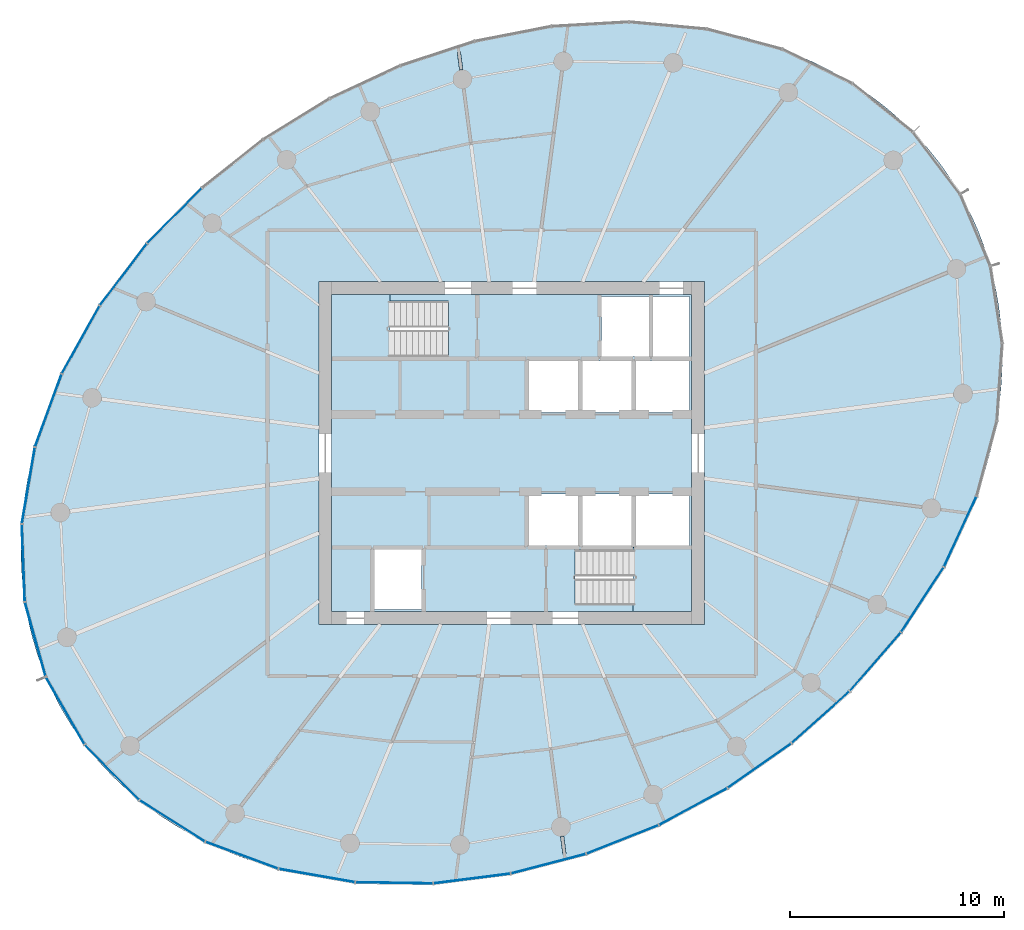
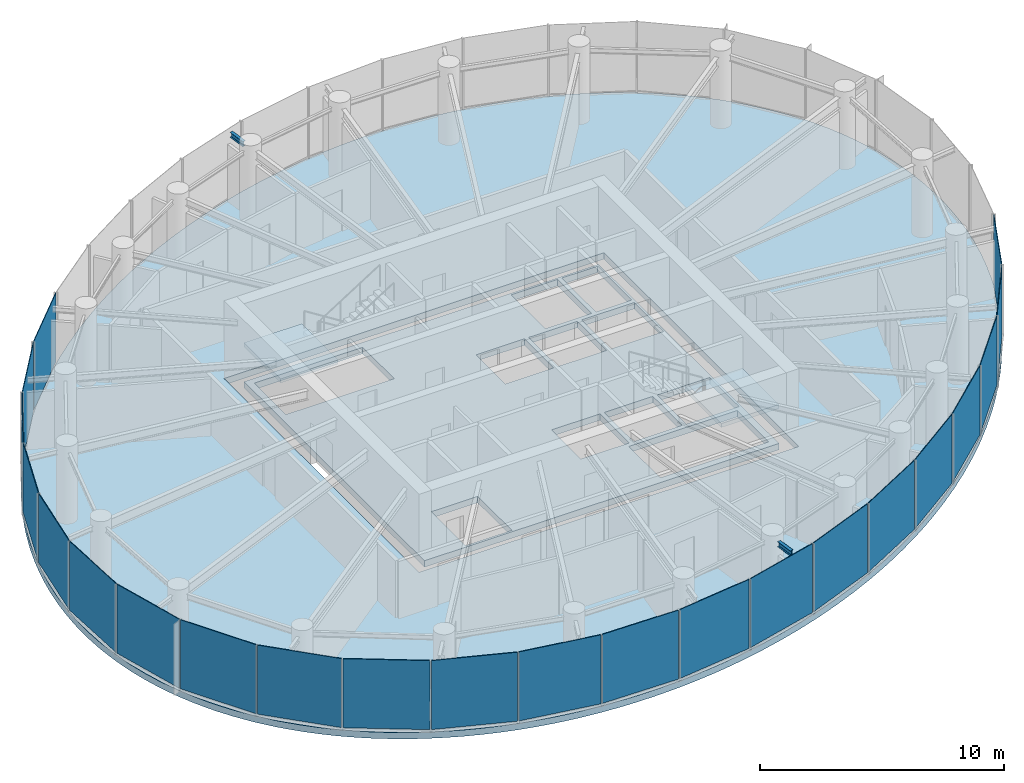
# One storey, part 8 of 14: 22 plates, 4 slabs, 2 beams, 7 elements without a shape of their own.
"""IFC4 building model written with IfcOpenShell, lengths in metres."""

from ifc_helpers import new_model, si_unit, direction, frame, origin, origin_2d, place, context, subcontext, project, spatial, line, indexed_curve, rectangle, i_section, outline, extrude, source, transform, mapped, material, layer, layer_set, material_profile, profile_set, type_object, element, aggregate, save


model = new_model("IFC4")

# Units and contexts
model_context = context("Model", 3, precision=1e-05, world=origin(), true_north=direction((0.0, 1.0)))
body_context = subcontext(model_context, "Body", "Model", "MODEL_VIEW")
ifc_project = project(units=[si_unit("LENGTHUNIT", "METRE"), si_unit("AREAUNIT", "SQUARE_METRE"), si_unit("VOLUMEUNIT", "CUBIC_METRE"), si_unit("PLANEANGLEUNIT", "RADIAN"), si_unit("MASSUNIT", "GRAM", prefix="KILO")], contexts=[model_context])

# Site, building, storey
site_placement = place(None, origin())
site = spatial("IfcSite", under=ifc_project, at=site_placement, CompositionType="ELEMENT")
building_placement = place(site_placement, origin())
building = spatial("IfcBuilding", under=site, at=building_placement, Name="Spindrift Exchange Tower", CompositionType="ELEMENT")
storey_placement = place(building_placement, frame((0.0, 0.0, 215.0)))
storey = spatial("IfcBuildingStorey", under=building, at=storey_placement, Name="L52", CompositionType="ELEMENT", Elevation=215.0)

# Beams
ifc_material_1 = material(Name="Steel Grade 300", Category="steel")
ifc_material_profile = material_profile(ifc_material_1, i_section(OverallWidth=0.14599609375, OverallDepth=0.251953125, WebThickness=0.006103515625, FlangeThickness=0.008544921875, FilletRadius=0.011962890625, at=origin_2d()), Name="250UB31.4")
ifc_profile_set = profile_set([ifc_material_profile], Name="Steel Grade 300")
beam_type = type_object("IfcBeamType", Name="Cantilever Beam 250UB31.4 Steel Grade 300", PredefinedType="BEAM", material=ifc_profile_set)
shared_shape_1 = source(origin(), body_context, "Body", "SweptSolid", [
    extrude(i_section(OverallWidth=0.14599609375, OverallDepth=0.251953125, WebThickness=0.006103515625, FlangeThickness=0.008544921875, FilletRadius=0.011962890625, at=origin_2d()), origin(), (0.0, 0.0, 1.0), 0.86181640625),
])
for number, where, z_axis, x_axis, name in (
    (1, (49.6474609375, 65.868896484375, 3.4541015625), (-0.130586407335, 0.991436932043, 0.0), (-0.991436932043, -0.130586407335, 0.0), "L52 cantilever beam R07T"),
    (2, (54.3525390625, 30.131103515625, 3.4541015625), (0.130586407335, -0.991436932043, 0.0), (0.991436932043, 0.130586407335, 0.0), "L52 cantilever beam R19T"),
):
    element("IfcBeam", number, at=place(storey_placement, frame(where, z_axis=z_axis, x_axis=x_axis)), inside=storey, type_object=beam_type, Name=name, PredefinedType="BEAM", context=body_context, shape_type="MappedRepresentation", body=[
        mapped(shared_shape_1, transform((0.0, 0.0, 0.0), scale=1.0)),
    ])

# Slabs
ifc_material_2 = material(Name="Concrete 40 MPa", Category="concrete")
ifc_layer_1 = layer(ifc_material_2, 0.320068359375)
ifc_layer_set_1 = layer_set([ifc_layer_1], Name="RC Floor Slab 320 Concrete 40 MPa")
slab_type_1 = type_object("IfcSlabType", Name="RC Floor Slab 320 Concrete 40 MPa", PredefinedType="FLOOR", material=ifc_layer_set_1)
slab_1_placement = place(storey_placement, frame((0.0, 0.0, -0.320068359375)))
element("IfcSlab", 3, at=slab_1_placement, inside=storey, type_object=slab_type_1, Name="Floor slab L52", PredefinedType="FLOOR", context=body_context, shape_type="SweptSolid", body=[
    extrude(outline(indexed_curve([(72.92578125, 60.07666015625), (72.534423828125, 60.71533203125), (72.110107421875, 61.3330078125), (71.88623046875, 61.633056640625), (71.415283203125, 62.2158203125), (71.168701171875, 62.497802734375), (70.654296875, 63.04248046875), (70.11328125, 63.560791015625), (69.54736328125, 64.051513671875), (69.255615234375, 64.286376953125), (68.655517578125, 64.735107421875), (68.347900390625, 64.948486328125), (67.718017578125, 65.35400390625), (67.0703125, 65.730712890625), (66.740478515625, 65.908203125), (66.069580078125, 66.241455078125), (65.385009765625, 66.546142578125), (65.0380859375, 66.687744140625), (64.33642578125, 66.949951171875), (63.625, 67.184326171875), (62.90478515625, 67.39111328125), (62.5419921875, 67.484619140625), (62.177490234375, 67.5712890625), (61.4443359375, 67.724853515625), (61.07568359375, 67.7919921875), (60.33544921875, 67.906982421875), (59.9638671875, 67.955078125), (59.21875, 68.03271484375), (58.471435546875, 68.086181640625), (58.097412109375, 68.10400390625), (57.722900390625, 68.1162109375), (56.9736328125, 68.122802734375), (56.59912109375, 68.11767578125), (55.8505859375, 68.0908203125), (55.4765625, 68.069091796875), (54.7294921875, 68.009521484375), (53.98486328125, 67.92919921875), (53.61328125, 67.881103515625), (53.242431640625, 67.827880859375), (52.503173828125, 67.70654296875), (51.40087890625, 67.487548828125), (50.30810546875, 67.2255859375), (49.226318359375, 66.921875), (48.156494140625, 66.577392578125), (47.100341796875, 66.193359375), (46.05908203125, 65.77099609375), (45.03369140625, 65.31103515625), (44.025390625, 64.814453125), (43.363525390625, 64.46337890625), (42.710205078125, 64.0966796875), (41.747314453125, 63.517578125), (41.116943359375, 63.112548828125), (40.49658203125, 62.692626953125), (39.585205078125, 62.034912109375), (38.698486328125, 61.344482421875), (37.837646484375, 60.622314453125), (37.00439453125, 59.868408203125), (36.199951171875, 59.08349609375), (35.426513671875, 58.268310546875), (34.685302734375, 57.423583984375), (34.21044921875, 56.84423828125), (33.97900390625, 56.5498046875), (33.528076171875, 55.951416015625), (33.30908203125, 55.6474609375), (33.09423828125, 55.340576171875), (32.677978515625, 54.717529296875), (32.476806640625, 54.401611328125), (32.088134765625, 53.760986328125), (31.9013671875, 53.436279296875), (31.542236328125, 52.77880859375), (31.2041015625, 52.110107421875), (31.04296875, 51.77197265625), (30.737548828125, 51.087890625), (30.59326171875, 50.7421875), (30.322509765625, 50.043701171875), (30.1962890625, 49.69091796875), (29.96240234375, 48.979248046875), (29.85498046875, 48.620361328125), (29.660400390625, 47.89697265625), (29.573486328125, 47.532470703125), (29.420166015625, 46.79931640625), (29.296142578125, 46.060302734375), (29.245361328125, 45.689208984375), (29.16650390625, 44.944091796875), (29.119384765625, 44.196533203125), (29.108154296875, 43.822021484375), (29.110107421875, 43.072998046875), (29.146240234375, 42.32470703125), (29.177001953125, 41.951416015625), (29.265380859375, 41.207275390625), (29.38916015625, 40.468505859375), (29.464599609375, 40.1015625), (29.642578125, 39.373779296875), (29.85693359375, 38.656005859375), (29.977783203125, 38.301513671875), (30.24658203125, 37.602294921875), (30.55126953125, 36.917724609375), (30.891357421875, 36.250244140625), (31.07421875, 35.92333984375), (31.465576171875, 35.28466796875), (31.889892578125, 34.6669921875), (32.11376953125, 34.366943359375), (32.584716796875, 33.7841796875), (32.831298828125, 33.502197265625), (33.345703125, 32.95751953125), (33.88671875, 32.439208984375), (34.45263671875, 31.948486328125), (34.744384765625, 31.713623046875), (35.344482421875, 31.264892578125), (35.652099609375, 31.051513671875), (36.281982421875, 30.64599609375), (36.9296875, 30.269287109375), (37.259521484375, 30.091796875), (37.930419921875, 29.758544921875), (38.614990234375, 29.453857421875), (38.9619140625, 29.312255859375), (39.66357421875, 29.050048828125), (40.375, 28.815673828125), (41.09521484375, 28.60888671875), (41.4580078125, 28.515380859375), (41.822509765625, 28.4287109375), (42.5556640625, 28.275146484375), (42.92431640625, 28.2080078125), (43.66455078125, 28.093017578125), (44.0361328125, 28.044921875), (44.78125, 27.96728515625), (45.528564453125, 27.913818359375), (45.902587890625, 27.89599609375), (46.277099609375, 27.8837890625), (47.0263671875, 27.877197265625), (47.40087890625, 27.88232421875), (48.1494140625, 27.9091796875), (48.5234375, 27.930908203125), (49.2705078125, 27.990478515625), (50.01513671875, 28.07080078125), (50.38671875, 28.118896484375), (50.757568359375, 28.172119140625), (51.496826171875, 28.29345703125), (52.59912109375, 28.512451171875), (53.69189453125, 28.7744140625), (54.773681640625, 29.078125), (55.843505859375, 29.422607421875), (56.899658203125, 29.806640625), (57.94091796875, 30.22900390625), (58.96630859375, 30.68896484375), (59.974609375, 31.185546875), (60.636474609375, 31.53662109375), (61.289794921875, 31.9033203125), (62.252685546875, 32.482421875), (62.883056640625, 32.887451171875), (63.50341796875, 33.307373046875), (64.414794921875, 33.965087890625), (65.301513671875, 34.655517578125), (66.162353515625, 35.377685546875), (66.99560546875, 36.131591796875), (67.800048828125, 36.91650390625), (68.573486328125, 37.731689453125), (69.314697265625, 38.576416015625), (69.55419921875, 38.864501953125), (70.02099609375, 39.4501953125), (70.471923828125, 40.048583984375), (70.69091796875, 40.3525390625), (70.90576171875, 40.659423828125), (71.322021484375, 41.282470703125), (71.523193359375, 41.598388671875), (71.911865234375, 42.239013671875), (72.0986328125, 42.563720703125), (72.457763671875, 43.22119140625), (72.7958984375, 43.889892578125), (72.95703125, 44.22802734375), (73.262451171875, 44.912109375), (73.40673828125, 45.2578125), (73.677490234375, 45.956298828125), (73.8037109375, 46.30908203125), (73.923828125, 46.663818359375), (74.14501953125, 47.379638671875), (74.339599609375, 48.10302734375), (74.426513671875, 48.467529296875), (74.579833984375, 49.20068359375), (74.703857421875, 49.939697265625), (74.754638671875, 50.310791015625), (74.83349609375, 51.055908203125), (74.880615234375, 51.803466796875), (74.891845703125, 52.177978515625), (74.889892578125, 52.927001953125), (74.853759765625, 53.67529296875), (74.822998046875, 54.048583984375), (74.734619140625, 54.792724609375), (74.61083984375, 55.531494140625), (74.535400390625, 55.8984375), (74.357421875, 56.626220703125), (74.14306640625, 57.343994140625), (74.022216796875, 57.698486328125), (73.75341796875, 58.397705078125), (73.44873046875, 59.082275390625), (73.108642578125, 59.749755859375)], segments=[line(1, 2, 3, 4, 5, 6, 7, 8, 9, 10, 11, 12, 13, 14, 15, 16, 17, 18, 19, 20, 21, 22, 23, 24, 25, 26, 27, 28, 29, 30, 31, 32, 33, 34, 35, 36, 37, 38, 39, 40, 41, 42, 43, 44, 45, 46, 47, 48, 49, 50, 51, 52, 53, 54, 55, 56, 57, 58, 59, 60, 61, 62, 63, 64, 65, 66, 67, 68, 69, 70, 71, 72, 73, 74, 75, 76, 77, 78, 79, 80, 81, 82, 83, 84, 85, 86, 87, 88, 89, 90, 91, 92, 93, 94, 95, 96, 97, 98, 99, 100, 101, 102, 103, 104, 105, 106, 107, 108, 109, 110, 111, 112, 113, 114, 115, 116, 117, 118, 119, 120, 121, 122, 123, 124, 125, 126, 127, 128, 129, 130, 131, 132, 133, 134, 135, 136, 137, 138, 139, 140, 141, 142, 143, 144, 145, 146, 147, 148, 149, 150, 151, 152, 153, 154, 155, 156, 157, 158, 159, 160, 161, 162, 163, 164, 165, 166, 167, 168, 169, 170, 171, 172, 173, 174, 175, 176, 177, 178, 179, 180, 181, 182, 183, 184, 185, 186, 187, 188, 189, 190, 191, 192, 193, 194, 195, 196, 1)], self_intersect=False), holes=[indexed_curve([(43.0, 40.0), (61.0, 40.0), (61.0, 56.0), (43.0, 56.0)], segments=[line(1, 2, 3, 4, 1)], self_intersect=False)]), origin(), (0.0, 0.0, 1.0), 0.320068359375),
])
ifc_material_3 = material(Name="Concrete 50 MPa", Category="concrete")
ifc_layer_2 = layer(ifc_material_3, 0.320068359375)
ifc_layer_set_2 = layer_set([ifc_layer_2], Name="SL-CORE-FLOOR-320")
slab_type_2 = type_object("IfcSlabType", Name="SL-CORE-FLOOR-320", PredefinedType="FLOOR", material=ifc_layer_set_2)
slab_2_placement = place(storey_placement, frame((0.0, 0.0, -0.320068359375)))
element("IfcSlab", 4, at=slab_2_placement, inside=storey, type_object=slab_type_2, Name="L52 Core floor slab", PredefinedType="FLOOR", context=body_context, shape_type="SweptSolid", body=[
    extrude(outline(indexed_curve([(43.60009765625, 40.60009765625), (43.60009765625, 55.39990234375), (60.39990234375, 55.39990234375), (60.39990234375, 40.60009765625)], segments=[line(1, 2, 3, 4, 1)], self_intersect=False), holes=[indexed_curve([(45.60009765625, 43.5), (45.60009765625, 40.699951171875), (47.800048828125, 40.699951171875), (47.800048828125, 43.5)], segments=[line(1, 2, 3, 4, 1)], self_intersect=False), indexed_curve([(52.800048828125, 46.10009765625), (52.800048828125, 43.699951171875), (55.10009765625, 43.699951171875), (55.10009765625, 46.10009765625)], segments=[line(1, 2, 3, 4, 1)], self_intersect=False), indexed_curve([(55.300048828125, 46.10009765625), (55.300048828125, 43.699951171875), (57.60009765625, 43.699951171875), (57.60009765625, 46.10009765625)], segments=[line(1, 2, 3, 4, 1)], self_intersect=False), indexed_curve([(55.10009765625, 52.300048828125), (52.800048828125, 52.300048828125), (52.800048828125, 49.89990234375), (55.10009765625, 49.89990234375)], segments=[line(1, 2, 3, 4, 1)], self_intersect=False), indexed_curve([(57.60009765625, 52.300048828125), (55.300048828125, 52.300048828125), (55.300048828125, 49.89990234375), (57.60009765625, 49.89990234375)], segments=[line(1, 2, 3, 4, 1)], self_intersect=False), indexed_curve([(43.906005859375, 52.506103515625), (49.0439453125, 52.506103515625), (49.0439453125, 55.093994140625), (43.906005859375, 55.093994140625)], segments=[line(1, 2, 3, 4, 1)], self_intersect=False), indexed_curve([(60.093994140625, 40.906005859375), (60.093994140625, 43.493896484375), (54.9560546875, 43.493896484375), (54.9560546875, 40.906005859375)], segments=[line(1, 2, 3, 4, 1)], self_intersect=False), indexed_curve([(60.300048828125, 46.10009765625), (57.800048828125, 46.10009765625), (57.800048828125, 43.699951171875), (60.300048828125, 43.699951171875)], segments=[line(1, 2, 3, 4, 1)], self_intersect=False), indexed_curve([(57.800048828125, 52.300048828125), (57.800048828125, 49.89990234375), (60.300048828125, 49.89990234375), (60.300048828125, 52.300048828125)], segments=[line(1, 2, 3, 4, 1)], self_intersect=False), indexed_curve([(58.39990234375, 55.300048828125), (56.199951171875, 55.300048828125), (56.199951171875, 52.5), (58.39990234375, 52.5)], segments=[line(1, 2, 3, 4, 1)], self_intersect=False), indexed_curve([(60.300048828125, 55.300048828125), (58.60009765625, 55.300048828125), (58.60009765625, 52.5), (60.300048828125, 52.5)], segments=[line(1, 2, 3, 4, 1)], self_intersect=False)]), origin(), (0.0, 0.0, 1.0), 0.320068359375),
])

# Stair, slab
stair_type = type_object("IfcStairType", Name="ST-1250-R177", PredefinedType="HALF_TURN_STAIR", material=ifc_material_3)
stair_1_placement = place(storey_placement, origin())
stair_1 = element("IfcStair", 5, at=stair_1_placement, inside=storey, type_object=stair_type, Name="L52 Exit stair ST1", PredefinedType="HALF_TURN_STAIR")
ifc_layer_3 = layer(ifc_material_3, 0.199951171875)
ifc_layer_set_3 = layer_set([ifc_layer_3], Name="SL-LANDING")
slab_type_3 = type_object("IfcSlabType", Name="SL-LANDING", PredefinedType="LANDING", material=ifc_layer_set_3)
slab_3_placement = place(storey_placement, frame((0.0, 0.0, 1.75)))
slab_3 = element("IfcSlab", 6, at=slab_3_placement, type_object=slab_type_3, Name="ST1 landing 1", PredefinedType="LANDING", context=body_context, shape_type="SweptSolid", body=[
    extrude(outline(indexed_curve([(46.330078125, 52.39990234375), (43.60009765625, 52.39990234375), (43.60009765625, 55.39990234375), (46.330078125, 55.39990234375)], segments=[line(1, 2, 3, 4, 1)], self_intersect=False)), origin(), (0.0, 0.0, 1.0), 0.199951171875),
])
aggregate(stair_1, [slab_3])

stair_2_placement = place(storey_placement, origin())
stair_2 = element("IfcStair", 7, at=stair_2_placement, inside=storey, type_object=stair_type, Name="L52 Exit stair ST2", PredefinedType="HALF_TURN_STAIR")
slab_4_placement = place(storey_placement, frame((0.0, 0.0, 1.75)))
slab_4 = element("IfcSlab", 8, at=slab_4_placement, type_object=slab_type_3, Name="ST2 landing 1", PredefinedType="LANDING", context=body_context, shape_type="SweptSolid", body=[
    extrude(outline(indexed_curve([(57.669921875, 43.60009765625), (60.39990234375, 43.60009765625), (60.39990234375, 40.60009765625), (57.669921875, 40.60009765625)], segments=[line(1, 2, 3, 4, 1)], self_intersect=False)), origin(), (0.0, 0.0, 1.0), 0.199951171875),
])
aggregate(stair_2, [slab_4])

# Curtain wall, plate
ifc_material_4 = material(Name="Fritted laminated glass with bronze frame", Category="glass")
ifc_layer_4 = layer(ifc_material_4, 0.169921875)
ifc_layer_set_4 = layer_set([ifc_layer_4], Name="ZONE 4 BRONZE FRITTED WALL")
curtain_wall_type = type_object("IfcCurtainWallType", Name="ZONE 4 BRONZE FRITTED WALL", PredefinedType="NOTDEFINED", material=ifc_layer_set_4)
curtain_wall_1_placement = place(storey_placement, origin())
curtain_wall_1 = element("IfcCurtainWall", 9, at=curtain_wall_1_placement, inside=storey, type_object=curtain_wall_type, Name="L52 Zone 4 Bronze Fritted Wall run 2", PredefinedType="NOTDEFINED")
ifc_material_5 = material(Name="Bronze fritted laminated glass, open frit", Category="glass")
ifc_layer_5 = layer(ifc_material_5, 0.030029296875)
ifc_layer_set_5 = layer_set([ifc_layer_5], Name="ZONE 4 BRONZE FRITTED WALL PANEL OPEN FRIT 600")
plate_type_1 = type_object("IfcPlateType", Name="ZONE 4 BRONZE FRITTED WALL PANEL OPEN FRIT 600", PredefinedType="CURTAIN_PANEL", material=ifc_layer_set_5)
shared_shape_2 = source(origin(), body_context, "Body", "SweptSolid", [
    extrude(rectangle(XDim=3.577392578125, YDim=0.030029296875, at=origin_2d()), origin(), (0.0, 0.0, 1.0), 3.455078125),
])
plate_1_placement = place(storey_placement, frame((36.268798828125, 59.072509765625, 0.125), z_axis=(0.0, 0.0, 1.0), x_axis=(-0.7030460155, -0.711144359529, 0.0)))
plate_1 = element("IfcPlate", 10, at=plate_1_placement, type_object=plate_type_1, Name="L52 panel CW-4.12", PredefinedType="CURTAIN_PANEL", context=body_context, shape_type="MappedRepresentation", body=[
    mapped(shared_shape_2, transform((0.0, 0.0, 0.0), scale=1.0)),
])
aggregate(curtain_wall_1, [plate_1])

curtain_wall_2_placement = place(storey_placement, origin())
curtain_wall_2 = element("IfcCurtainWall", 11, at=curtain_wall_2_placement, inside=storey, type_object=curtain_wall_type, Name="L52 Zone 4 Bronze Fritted Wall run 5", PredefinedType="NOTDEFINED")
plate_2_placement = place(storey_placement, frame((53.716796875, 28.839599609375, 0.125), z_axis=(0.0, 0.0, 1.0), x_axis=(0.967484857142, 0.252928944964, 0.0)))
plate_2 = element("IfcPlate", 12, at=plate_2_placement, type_object=plate_type_1, Name="L52 panel CW-4.26", PredefinedType="CURTAIN_PANEL", context=body_context, shape_type="MappedRepresentation", body=[
    mapped(shared_shape_2, transform((0.0, 0.0, 0.0), scale=1.0)),
])

# Curtain wall, plates
curtain_wall_3_placement = place(storey_placement, origin())
curtain_wall_3 = element("IfcCurtainWall", 13, at=curtain_wall_3_placement, inside=storey, type_object=curtain_wall_type, Name="L52 Zone 4 Bronze Fritted Wall run 3", PredefinedType="NOTDEFINED")
ifc_layer_6 = layer(ifc_material_5, 0.030029296875)
ifc_layer_set_6 = layer_set([ifc_layer_6], Name="ZONE 4 BRONZE FRITTED WALL PANEL OPEN FRIT 360")
plate_type_2 = type_object("IfcPlateType", Name="ZONE 4 BRONZE FRITTED WALL PANEL OPEN FRIT 360", PredefinedType="CURTAIN_PANEL", material=ifc_layer_set_6)
shared_shape_3 = source(origin(), body_context, "Body", "SweptSolid", [
    extrude(rectangle(XDim=3.5771484375, YDim=0.030029296875, at=origin_2d()), origin(), (0.0, 0.0, 1.0), 3.455078125),
])
plate_3_placement = place(storey_placement, frame((33.8857421875, 56.327880859375, 0.125), z_axis=(0.0, 0.0, 1.0), x_axis=(-0.605481524793, -0.795859361404, 0.0)))
plate_3 = element("IfcPlate", 14, at=plate_3_placement, type_object=plate_type_2, Name="L52 panel CW-4.13", PredefinedType="CURTAIN_PANEL", context=body_context, shape_type="MappedRepresentation", body=[
    mapped(shared_shape_3, transform((0.0, 0.0, 0.0), scale=1.0)),
])
shared_shape_4 = source(origin(), body_context, "Body", "SweptSolid", [
    extrude(rectangle(XDim=3.57421875, YDim=0.030029296875, at=origin_2d()), origin(), (0.0, 0.0, 1.0), 3.455078125),
])
plate_4_placement = place(storey_placement, frame((29.453369140625, 46.485595703125, 0.125), z_axis=(0.0, 0.0, 1.0), x_axis=(-0.168332823125, -0.985730216976, 0.0)))
plate_4 = element("IfcPlate", 15, at=plate_4_placement, type_object=plate_type_1, Name="L52 panel CW-4.16", PredefinedType="CURTAIN_PANEL", context=body_context, shape_type="MappedRepresentation", body=[
    mapped(shared_shape_4, transform((0.0, 0.0, 0.0), scale=1.0)),
])
ifc_layer_7 = layer(ifc_material_5, 0.030029296875)
ifc_layer_set_7 = layer_set([ifc_layer_7], Name="ZONE 4 BRONZE FRITTED WALL PANEL OPEN FRIT 480")
plate_type_3 = type_object("IfcPlateType", Name="ZONE 4 BRONZE FRITTED WALL PANEL OPEN FRIT 480", PredefinedType="CURTAIN_PANEL", material=ifc_layer_set_7)
shared_shape_5 = source(origin(), body_context, "Body", "SweptSolid", [
    extrude(rectangle(XDim=3.57080078125, YDim=0.030029296875, at=origin_2d()), origin(), (0.0, 0.0, 1.0), 3.455078125),
])
plate_5_placement = place(storey_placement, frame((29.77685546875, 39.306396484375, 0.125), z_axis=(0.0, 0.0, 1.0), x_axis=(0.269133305554, -0.963102935226, 0.0)))
plate_5 = element("IfcPlate", 16, at=plate_5_placement, type_object=plate_type_3, Name="L52 panel CW-4.18", PredefinedType="CURTAIN_PANEL", context=body_context, shape_type="MappedRepresentation", body=[
    mapped(shared_shape_5, transform((0.0, 0.0, 0.0), scale=1.0)),
])
shared_shape_6 = source(origin(), body_context, "Body", "SweptSolid", [
    extrude(rectangle(XDim=3.572509765625, YDim=0.030029296875, at=origin_2d()), origin(), (0.0, 0.0, 1.0), 3.455078125),
])
plate_6_placement = place(storey_placement, frame((29.21728515625, 42.87451171875, 0.125), z_axis=(0.0, 0.0, 1.0), x_axis=(0.038626741851, -0.999253708932, 0.0)))
plate_6 = element("IfcPlate", 17, at=plate_6_placement, type_object=plate_type_3, Name="L52 panel CW-4.17", PredefinedType="CURTAIN_PANEL", context=body_context, shape_type="MappedRepresentation", body=[
    mapped(shared_shape_6, transform((0.0, 0.0, 0.0), scale=1.0)),
])

# Plate
shared_shape_7 = source(origin(), body_context, "Body", "SweptSolid", [
    extrude(rectangle(XDim=3.5771484375, YDim=0.030029296875, at=origin_2d()), origin(), (0.0, 0.0, 1.0), 3.455078125),
])
plate_7_placement = place(storey_placement, frame((50.148193359375, 28.1494140625, 0.125), z_axis=(0.0, 0.0, 1.0), x_axis=(0.99202014034, 0.126079503328, 0.0)))
plate_7 = element("IfcPlate", 18, at=plate_7_placement, type_object=plate_type_3, Name="L52 panel CW-4.25", PredefinedType="CURTAIN_PANEL", context=body_context, shape_type="MappedRepresentation", body=[
    mapped(shared_shape_7, transform((0.0, 0.0, 0.0), scale=1.0)),
])

shared_shape_8 = source(origin(), body_context, "Body", "SweptSolid", [
    extrude(rectangle(XDim=3.577880859375, YDim=0.030029296875, at=origin_2d()), origin(), (0.0, 0.0, 1.0), 3.455078125),
])
plate_8_placement = place(storey_placement, frame((60.468994140625, 31.505859375, 0.125), z_axis=(0.0, 0.0, 1.0), x_axis=(0.880262956593, 0.474486171822, 0.0)))
plate_8 = element("IfcPlate", 19, at=plate_8_placement, type_object=plate_type_1, Name="L52 panel CW-4.28", PredefinedType="CURTAIN_PANEL", context=body_context, shape_type="MappedRepresentation", body=[
    mapped(shared_shape_8, transform((0.0, 0.0, 0.0), scale=1.0)),
])

plate_9_placement = place(storey_placement, frame((63.564208984375, 33.414794921875, 0.125), z_axis=(0.0, 0.0, 1.0), x_axis=(0.819198091317, 0.573510668761, 0.0)))
plate_9 = element("IfcPlate", 20, at=plate_9_placement, type_object=plate_type_1, Name="L52 panel CW-4.29", PredefinedType="CURTAIN_PANEL", context=body_context, shape_type="MappedRepresentation", body=[
    mapped(shared_shape_8, transform((0.0, 0.0, 0.0), scale=1.0)),
])

shared_shape_9 = source(origin(), body_context, "Body", "SweptSolid", [
    extrude(rectangle(XDim=3.57763671875, YDim=0.030029296875, at=origin_2d()), origin(), (0.0, 0.0, 1.0), 3.455078125),
])
plate_10_placement = place(storey_placement, frame((57.172119140625, 29.970947265625, 0.125), z_axis=(0.0, 0.0, 1.0), x_axis=(0.9297192923, 0.368268974426, 0.0)))
plate_10 = element("IfcPlate", 21, at=plate_10_placement, type_object=plate_type_3, Name="L52 panel CW-4.27", PredefinedType="CURTAIN_PANEL", context=body_context, shape_type="MappedRepresentation", body=[
    mapped(shared_shape_9, transform((0.0, 0.0, 0.0), scale=1.0)),
])

shared_shape_10 = source(origin(), body_context, "Body", "SweptSolid", [
    extrude(rectangle(XDim=3.57763671875, YDim=0.030029296875, at=origin_2d()), origin(), (0.0, 0.0, 1.0), 3.455078125),
])
plate_11_placement = place(storey_placement, frame((66.413818359375, 35.673583984375, 0.125), z_axis=(0.0, 0.0, 1.0), x_axis=(0.745378272908, 0.666641755576, 0.0)))
plate_11 = element("IfcPlate", 22, at=plate_11_placement, type_object=plate_type_1, Name="L52 panel CW-4.30", PredefinedType="CURTAIN_PANEL", context=body_context, shape_type="MappedRepresentation", body=[
    mapped(shared_shape_10, transform((0.0, 0.0, 0.0), scale=1.0)),
])

aggregate(curtain_wall_2, [plate_7, plate_2, plate_10, plate_8, plate_9, plate_11])

# Curtain wall, plate
curtain_wall_4_placement = place(storey_placement, origin())
curtain_wall_4 = element("IfcCurtainWall", 23, at=curtain_wall_4_placement, inside=storey, type_object=curtain_wall_type, Name="L52 Zone 4 Bronze Fritted Wall run 6", PredefinedType="NOTDEFINED")
shared_shape_11 = source(origin(), body_context, "Body", "SweptSolid", [
    extrude(rectangle(XDim=3.577392578125, YDim=0.030029296875, at=origin_2d()), origin(), (0.0, 0.0, 1.0), 3.455078125),
])
plate_12_placement = place(storey_placement, frame((68.96728515625, 38.261474609375, 0.125), z_axis=(0.0, 0.0, 1.0), x_axis=(0.656576540785, 0.754259402388, 0.0)))
plate_12 = element("IfcPlate", 24, at=plate_12_placement, type_object=plate_type_2, Name="L52 panel CW-4.31", PredefinedType="CURTAIN_PANEL", context=body_context, shape_type="MappedRepresentation", body=[
    mapped(shared_shape_11, transform((0.0, 0.0, 0.0), scale=1.0)),
])

# Plate
shared_shape_12 = source(origin(), body_context, "Body", "SweptSolid", [
    extrude(rectangle(XDim=3.576416015625, YDim=0.030029296875, at=origin_2d()), origin(), (0.0, 0.0, 1.0), 3.455078125),
])
plate_13_placement = place(storey_placement, frame((31.89599609375, 53.28857421875, 0.125), z_axis=(0.0, 0.0, 1.0), x_axis=(-0.487222691136, -0.873277761793, 0.0)))
plate_13 = element("IfcPlate", 25, at=plate_13_placement, type_object=plate_type_1, Name="L52 panel CW-4.14", PredefinedType="CURTAIN_PANEL", context=body_context, shape_type="MappedRepresentation", body=[
    mapped(shared_shape_12, transform((0.0, 0.0, 0.0), scale=1.0)),
])

# Curtain wall, plates
curtain_wall_5_placement = place(storey_placement, origin())
curtain_wall_5 = element("IfcCurtainWall", 26, at=curtain_wall_5_placement, inside=storey, type_object=curtain_wall_type, Name="L52 Zone 4 Bronze Fritted Wall run 4", PredefinedType="NOTDEFINED")
shared_shape_13 = source(origin(), body_context, "Body", "SweptSolid", [
    extrude(rectangle(XDim=3.57421875, YDim=0.030029296875, at=origin_2d()), origin(), (0.0, 0.0, 1.0), 3.455078125),
])
plate_14_placement = place(storey_placement, frame((39.40869140625, 29.235595703125, 0.125), z_axis=(0.0, 0.0, 1.0), x_axis=(0.937712001874, -0.347413588596, 0.0)))
plate_14 = element("IfcPlate", 27, at=plate_14_placement, type_object=plate_type_2, Name="L52 panel CW-4.22", PredefinedType="CURTAIN_PANEL", context=body_context, shape_type="MappedRepresentation", body=[
    mapped(shared_shape_13, transform((0.0, 0.0, 0.0), scale=1.0)),
])
shared_shape_14 = source(origin(), body_context, "Body", "SweptSolid", [
    extrude(rectangle(XDim=3.572509765625, YDim=0.030029296875, at=origin_2d()), origin(), (0.0, 0.0, 1.0), 3.455078125),
])
plate_15_placement = place(storey_placement, frame((36.163818359375, 30.837890625, 0.125), z_axis=(0.0, 0.0, 1.0), x_axis=(0.845886111089, -0.533363559935, 0.0)))
plate_15 = element("IfcPlate", 28, at=plate_15_placement, type_object=plate_type_2, Name="L52 panel CW-4.21", PredefinedType="CURTAIN_PANEL", context=body_context, shape_type="MappedRepresentation", body=[
    mapped(shared_shape_14, transform((0.0, 0.0, 0.0), scale=1.0)),
])
shared_shape_15 = source(origin(), body_context, "Body", "SweptSolid", [
    extrude(rectangle(XDim=3.57080078125, YDim=0.030029296875, at=origin_2d()), origin(), (0.0, 0.0, 1.0), 3.455078125),
])
plate_16_placement = place(storey_placement, frame((33.354248046875, 33.107666015625, 0.125), z_axis=(0.0, 0.0, 1.0), x_axis=(0.699251717765, -0.71487553826, 0.0)))
plate_16 = element("IfcPlate", 29, at=plate_16_placement, type_object=plate_type_2, Name="L52 panel CW-4.20", PredefinedType="CURTAIN_PANEL", context=body_context, shape_type="MappedRepresentation", body=[
    mapped(shared_shape_15, transform((0.0, 0.0, 0.0), scale=1.0)),
])

# Plate
shared_shape_16 = source(origin(), body_context, "Body", "SweptSolid", [
    extrude(rectangle(XDim=3.576904296875, YDim=0.030029296875, at=origin_2d()), origin(), (0.0, 0.0, 1.0), 3.455078125),
])
plate_17_placement = place(storey_placement, frame((71.1630859375, 41.15673828125, 0.125), z_axis=(0.0, 0.0, 1.0), x_axis=(0.549225569346, 0.835674143418, 0.0)))
plate_17 = element("IfcPlate", 30, at=plate_17_placement, type_object=plate_type_3, Name="L52 panel CW-4.32", PredefinedType="CURTAIN_PANEL", context=body_context, shape_type="MappedRepresentation", body=[
    mapped(shared_shape_16, transform((0.0, 0.0, 0.0), scale=1.0)),
])

shared_shape_17 = source(origin(), body_context, "Body", "SweptSolid", [
    extrude(rectangle(XDim=3.575927734375, YDim=0.030029296875, at=origin_2d()), origin(), (0.0, 0.0, 1.0), 3.455078125),
])
plate_18_placement = place(storey_placement, frame((72.925537109375, 44.33154296875, 0.125), z_axis=(0.0, 0.0, 1.0), x_axis=(0.418756420704, 0.908098596034, 0.0)))
plate_18 = element("IfcPlate", 31, at=plate_18_placement, type_object=plate_type_2, Name="L52 panel CW-4.33", PredefinedType="CURTAIN_PANEL", context=body_context, shape_type="MappedRepresentation", body=[
    mapped(shared_shape_17, transform((0.0, 0.0, 0.0), scale=1.0)),
])

aggregate(curtain_wall_4, [plate_12, plate_17, plate_18])

shared_shape_18 = source(origin(), body_context, "Body", "SweptSolid", [
    extrude(rectangle(XDim=3.576416015625, YDim=0.030029296875, at=origin_2d()), origin(), (0.0, 0.0, 1.0), 3.455078125),
])
plate_19_placement = place(storey_placement, frame((46.52099609375, 27.947021484375, 0.125), z_axis=(0.0, 0.0, 1.0), x_axis=(0.999886751277, -0.015049406006, 0.0)))
plate_19 = element("IfcPlate", 32, at=plate_19_placement, type_object=plate_type_2, Name="L52 panel CW-4.24", PredefinedType="CURTAIN_PANEL", context=body_context, shape_type="MappedRepresentation", body=[
    mapped(shared_shape_18, transform((0.0, 0.0, 0.0), scale=1.0)),
])

shared_shape_19 = source(origin(), body_context, "Body", "SweptSolid", [
    extrude(rectangle(XDim=3.575439453125, YDim=0.030029296875, at=origin_2d()), origin(), (0.0, 0.0, 1.0), 3.455078125),
])
plate_20_placement = place(storey_placement, frame((30.38427734375, 49.98876953125, 0.125), z_axis=(0.0, 0.0, 1.0), x_axis=(-0.343136791203, -0.939285442516, 0.0)))
plate_20 = element("IfcPlate", 33, at=plate_20_placement, type_object=plate_type_1, Name="L52 panel CW-4.15", PredefinedType="CURTAIN_PANEL", context=body_context, shape_type="MappedRepresentation", body=[
    mapped(shared_shape_19, transform((0.0, 0.0, 0.0), scale=1.0)),
])

aggregate(curtain_wall_3, [plate_3, plate_13, plate_20, plate_4, plate_6, plate_5])

plate_21_placement = place(storey_placement, frame((42.90771484375, 28.2890625, 0.125), z_axis=(0.0, 0.0, 1.0), x_axis=(0.984955597142, -0.172807614588, 0.0)))
plate_21 = element("IfcPlate", 34, at=plate_21_placement, type_object=plate_type_1, Name="L52 panel CW-4.23", PredefinedType="CURTAIN_PANEL", context=body_context, shape_type="MappedRepresentation", body=[
    mapped(shared_shape_19, transform((0.0, 0.0, 0.0), scale=1.0)),
])

shared_shape_20 = source(origin(), body_context, "Body", "SweptSolid", [
    extrude(rectangle(XDim=3.570068359375, YDim=0.030029296875, at=origin_2d()), origin(), (0.0, 0.0, 1.0), 3.455078125),
])
plate_22_placement = place(storey_placement, frame((31.174560546875, 35.981201171875, 0.125), z_axis=(0.0, 0.0, 1.0), x_axis=(0.499848842438, -0.866112657056, 0.0)))
plate_22 = element("IfcPlate", 35, at=plate_22_placement, type_object=plate_type_3, Name="L52 panel CW-4.19", PredefinedType="CURTAIN_PANEL", context=body_context, shape_type="MappedRepresentation", body=[
    mapped(shared_shape_20, transform((0.0, 0.0, 0.0), scale=1.0)),
])

aggregate(curtain_wall_5, [plate_22, plate_16, plate_15, plate_14, plate_21, plate_19])

save(model, "model.ifc")
